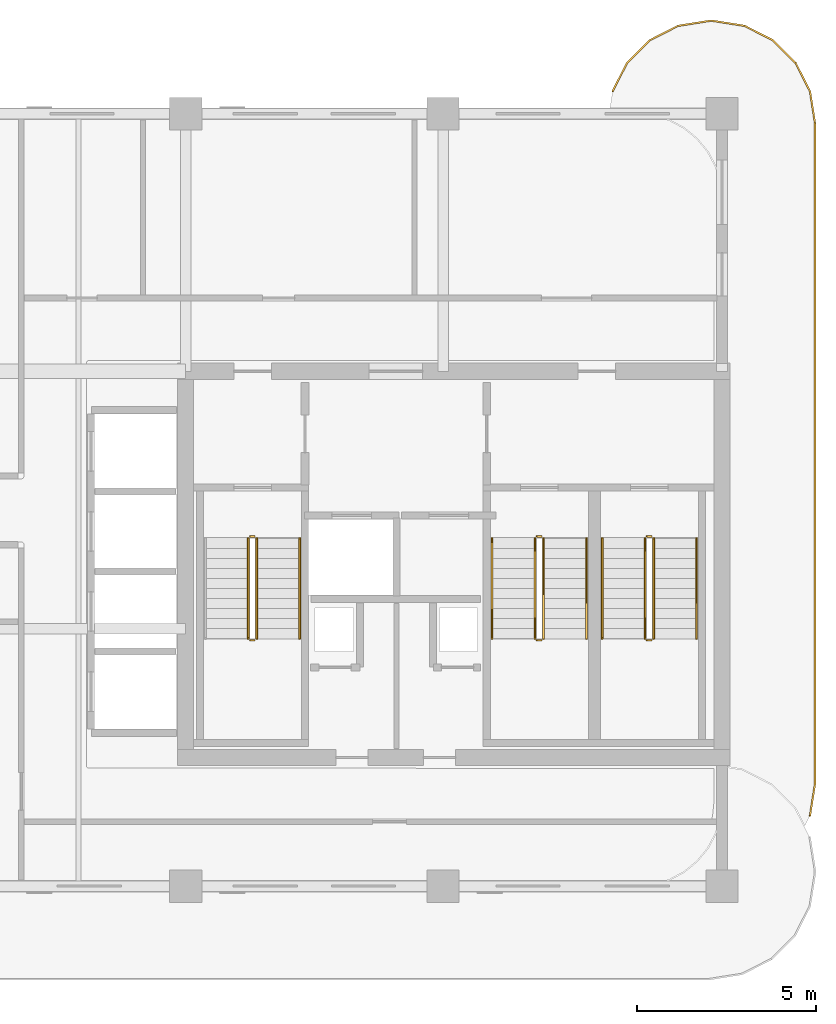
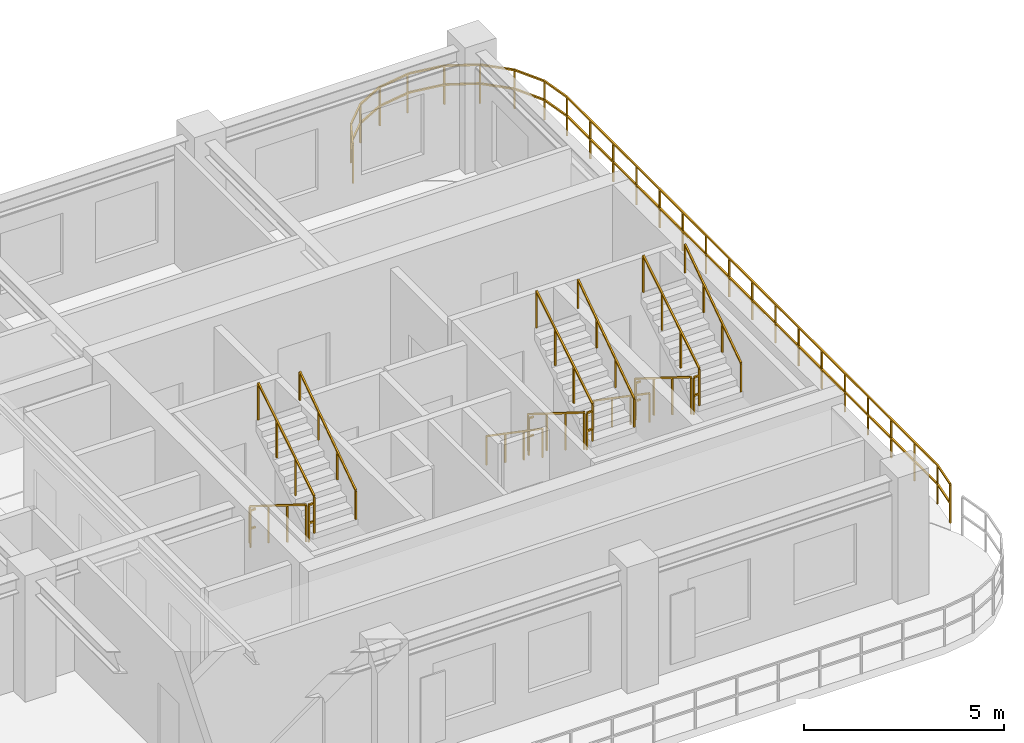
# One storey, part 8 of 8: 18 railings.
"""IFC4 building model written with IfcOpenShell, lengths in metres."""

from ifc_helpers import new_model, si_unit, derived_unit, direction, frame, origin, origin_2d, place, context, subcontext, project, spatial, rectangle, extrude, material, type_object, element, save


model = new_model("IFC4")

# Units and contexts
model_context = context("Model", 3, precision=1e-05, world=origin(), true_north=direction((0.0, 1.0)))
body_context = subcontext(model_context, "Body", "Model", "MODEL_VIEW")
ifc_project = project(units=[si_unit("LENGTHUNIT", "METRE"), si_unit("AREAUNIT", "SQUARE_METRE"), si_unit("VOLUMEUNIT", "CUBIC_METRE"), si_unit("PLANEANGLEUNIT", "RADIAN"), si_unit("MASSUNIT", "GRAM", prefix="KILO"), si_unit("THERMODYNAMICTEMPERATUREUNIT", "KELVIN"), si_unit("POWERUNIT", "WATT"), derived_unit("THERMALTRANSMITTANCEUNIT", [(si_unit("POWERUNIT", "WATT"), 1), (si_unit("AREAUNIT", "SQUARE_METRE"), -1), (si_unit("THERMODYNAMICTEMPERATUREUNIT", "KELVIN"), -1)])], contexts=[model_context])

# Site, building, storey
site_placement = place(None, origin())
site = spatial("IfcSite", under=ifc_project, at=site_placement, CompositionType="ELEMENT")
building_placement = place(site_placement, origin())
building = spatial("IfcBuilding", under=site, at=building_placement, Name="Zahravan Archway Hotel and Residences", CompositionType="ELEMENT")
storey_placement = place(building_placement, frame((0.0, 0.0, 248.10009765625)))
storey = spatial("IfcBuildingStorey", under=building, at=storey_placement, Name="L62", CompositionType="ELEMENT", Elevation=248.10009765625)

# Railings
ifc_material_1 = material(Name="Bronze & Laminated Glass Balustrade", Category="glass")
railing_type_1 = type_object("IfcRailingType", Name="RL-BAL-1200", PredefinedType="BALUSTRADE", material=ifc_material_1)
railing_1_placement = place(storey_placement, frame((46.739501953125, 22.230712890625, 0.0)))
element("IfcRailing", 1, at=railing_1_placement, inside=storey, type_object=railing_type_1, Name="L62 Balustrade RL-SLB-BAL-L62-EA-1", PredefinedType="BALUSTRADE", context=body_context, shape_type="SweptSolid", body=[
    extrude(rectangle(XDim=0.048095703125, YDim=0.048095703125, at=origin_2d()), frame((0.0, 0.0, 1.17578125), z_axis=(0.453991409995, 0.891006060389, 0.0), x_axis=(-0.891006060389, 0.453991409995, 0.0)), (0.0, 0.0, 1.0), 0.8916015625),
    extrude(rectangle(XDim=0.048095703125, YDim=0.048095703125, at=origin_2d()), frame((0.0, 0.0, 0.60009765625), z_axis=(0.453991409995, 0.891006060389, 0.0), x_axis=(-0.891006060389, 0.453991409995, 0.0)), (0.0, 0.0, 1.0), 0.8916015625),
    extrude(rectangle(XDim=0.048095703125, YDim=0.048095703125, at=origin_2d()), frame((0.40478515625, 0.79443359375, 1.17578125), z_axis=(0.707106781187, 0.707106781187, 0.0), x_axis=(-0.707106781187, 0.707106781187, 0.0)), (0.0, 0.0, 1.0), 0.891845703125),
    extrude(rectangle(XDim=0.048095703125, YDim=0.048095703125, at=origin_2d()), frame((0.40478515625, 0.79443359375, 0.60009765625), z_axis=(0.707106781187, 0.707106781187, 0.0), x_axis=(-0.707106781187, 0.707106781187, 0.0)), (0.0, 0.0, 1.0), 0.891845703125),
    extrude(rectangle(XDim=0.048095703125, YDim=0.048095703125, at=origin_2d()), frame((1.035400390625, 1.425048828125, 1.17578125), z_axis=(0.891006060389, 0.453991409995, 0.0), x_axis=(-0.453991409995, 0.891006060389, 0.0)), (0.0, 0.0, 1.0), 0.8916015625),
    extrude(rectangle(XDim=0.048095703125, YDim=0.048095703125, at=origin_2d()), frame((1.035400390625, 1.425048828125, 0.60009765625), z_axis=(0.891006060389, 0.453991409995, 0.0), x_axis=(-0.453991409995, 0.891006060389, 0.0)), (0.0, 0.0, 1.0), 0.8916015625),
    extrude(rectangle(XDim=0.048095703125, YDim=0.048095703125, at=origin_2d()), frame((1.829833984375, 1.829833984375, 1.17578125), z_axis=(0.987700720307, 0.156356282588, 0.0), x_axis=(-0.156356282588, 0.987700720307, 0.0)), (0.0, 0.0, 1.0), 0.8916015625),
    extrude(rectangle(XDim=0.048095703125, YDim=0.048095703125, at=origin_2d()), frame((1.829833984375, 1.829833984375, 0.60009765625), z_axis=(0.987700720307, 0.156356282588, 0.0), x_axis=(-0.156356282588, 0.987700720307, 0.0)), (0.0, 0.0, 1.0), 0.8916015625),
    extrude(rectangle(XDim=0.048095703125, YDim=0.048095703125, at=origin_2d()), frame((2.71044921875, 1.96923828125, 1.17578125), z_axis=(1.0, 0.0, 0.0), x_axis=(0.0, 1.0, 0.0)), (0.0, 0.0, 1.0), 0.10009765625),
    extrude(rectangle(XDim=0.048095703125, YDim=0.048095703125, at=origin_2d()), frame((2.71044921875, 1.96923828125, 0.60009765625), z_axis=(1.0, 0.0, 0.0), x_axis=(0.0, 1.0, 0.0)), (0.0, 0.0, 1.0), 0.10009765625),
    extrude(rectangle(XDim=0.048095703125, YDim=0.048095703125, at=origin_2d()), frame((2.810546875, 1.96923828125, 1.17578125), z_axis=(0.987700720307, -0.156356282588, 0.0), x_axis=(0.156356282588, 0.987700720307, 0.0)), (0.0, 0.0, 1.0), 0.8916015625),
    extrude(rectangle(XDim=0.048095703125, YDim=0.048095703125, at=origin_2d()), frame((2.810546875, 1.96923828125, 0.60009765625), z_axis=(0.987700720307, -0.156356282588, 0.0), x_axis=(0.156356282588, 0.987700720307, 0.0)), (0.0, 0.0, 1.0), 0.8916015625),
    extrude(rectangle(XDim=0.048095703125, YDim=0.048095703125, at=origin_2d()), frame((3.691162109375, 1.829833984375, 1.17578125), z_axis=(0.891006060389, -0.453991409995, 0.0), x_axis=(0.453991409995, 0.891006060389, 0.0)), (0.0, 0.0, 1.0), 0.8916015625),
    extrude(rectangle(XDim=0.048095703125, YDim=0.048095703125, at=origin_2d()), frame((3.691162109375, 1.829833984375, 0.60009765625), z_axis=(0.891006060389, -0.453991409995, 0.0), x_axis=(0.453991409995, 0.891006060389, 0.0)), (0.0, 0.0, 1.0), 0.8916015625),
    extrude(rectangle(XDim=0.048095703125, YDim=0.048095703125, at=origin_2d()), frame((4.485595703125, 1.425048828125, 1.17578125), z_axis=(0.707106781187, -0.707106781187, 0.0), x_axis=(0.707106781187, 0.707106781187, 0.0)), (0.0, 0.0, 1.0), 0.891845703125),
    extrude(rectangle(XDim=0.048095703125, YDim=0.048095703125, at=origin_2d()), frame((4.485595703125, 1.425048828125, 0.60009765625), z_axis=(0.707106781187, -0.707106781187, 0.0), x_axis=(0.707106781187, 0.707106781187, 0.0)), (0.0, 0.0, 1.0), 0.891845703125),
    extrude(rectangle(XDim=0.048095703125, YDim=0.048095703125, at=origin_2d()), frame((5.1162109375, 0.79443359375, 1.17578125), z_axis=(0.453991409995, -0.891006060389, 0.0), x_axis=(0.891006060389, 0.453991409995, 0.0)), (0.0, 0.0, 1.0), 0.8916015625),
    extrude(rectangle(XDim=0.048095703125, YDim=0.048095703125, at=origin_2d()), frame((5.1162109375, 0.79443359375, 0.60009765625), z_axis=(0.453991409995, -0.891006060389, 0.0), x_axis=(0.891006060389, 0.453991409995, 0.0)), (0.0, 0.0, 1.0), 0.8916015625),
    extrude(rectangle(XDim=0.048095703125, YDim=0.048095703125, at=origin_2d()), frame((5.52099609375, 0.0, 1.17578125), z_axis=(0.156356282588, -0.987700720307, 0.0), x_axis=(0.987700720307, 0.156356282588, 0.0)), (0.0, 0.0, 1.0), 0.8916015625),
    extrude(rectangle(XDim=0.048095703125, YDim=0.048095703125, at=origin_2d()), frame((5.52099609375, 0.0, 0.60009765625), z_axis=(0.156356282588, -0.987700720307, 0.0), x_axis=(0.987700720307, 0.156356282588, 0.0)), (0.0, 0.0, 1.0), 0.8916015625),
    extrude(rectangle(XDim=0.048095703125, YDim=0.048095703125, at=origin_2d()), frame((5.660400390625, -0.880615234375, 1.17578125), z_axis=(0.0, -1.0, 0.0), x_axis=(1.0, 0.0, 0.0)), (0.0, 0.0, 1.0), 18.5),
    extrude(rectangle(XDim=0.048095703125, YDim=0.048095703125, at=origin_2d()), frame((5.660400390625, -0.880615234375, 0.60009765625), z_axis=(0.0, -1.0, 0.0), x_axis=(1.0, 0.0, 0.0)), (0.0, 0.0, 1.0), 18.5),
    extrude(rectangle(XDim=0.048095703125, YDim=0.048095703125, at=origin_2d()), frame((5.660400390625, -19.380615234375, 1.17578125), z_axis=(-0.156314005608, -0.987707411965, 0.0), x_axis=(0.987707411965, -0.156314005608, 0.0)), (0.0, 0.0, 1.0), 0.891845703125),
    extrude(rectangle(XDim=0.048095703125, YDim=0.048095703125, at=origin_2d()), frame((5.660400390625, -19.380615234375, 0.60009765625), z_axis=(-0.156314005608, -0.987707411965, 0.0), x_axis=(0.987707411965, -0.156314005608, 0.0)), (0.0, 0.0, 1.0), 0.891845703125),
    extrude(rectangle(XDim=0.0419921875, YDim=0.0419921875, at=origin_2d()), origin(), (0.0, 0.0, 1.0), 1.15185546875),
    extrude(rectangle(XDim=0.0419921875, YDim=0.0419921875, at=origin_2d()), frame((0.40478515625, 0.79443359375, 0.0)), (0.0, 0.0, 1.0), 1.15185546875),
    extrude(rectangle(XDim=0.0419921875, YDim=0.0419921875, at=origin_2d()), frame((1.035400390625, 1.425048828125, 0.0)), (0.0, 0.0, 1.0), 1.15185546875),
    extrude(rectangle(XDim=0.0419921875, YDim=0.0419921875, at=origin_2d()), frame((1.829833984375, 1.829833984375, 0.0)), (0.0, 0.0, 1.0), 1.15185546875),
    extrude(rectangle(XDim=0.0419921875, YDim=0.0419921875, at=origin_2d()), frame((2.71044921875, 1.96923828125, 0.0)), (0.0, 0.0, 1.0), 1.15185546875),
    extrude(rectangle(XDim=0.0419921875, YDim=0.0419921875, at=origin_2d()), frame((3.691162109375, 1.829833984375, 0.0)), (0.0, 0.0, 1.0), 1.15185546875),
    extrude(rectangle(XDim=0.0419921875, YDim=0.0419921875, at=origin_2d()), frame((4.485595703125, 1.425048828125, 0.0)), (0.0, 0.0, 1.0), 1.15185546875),
    extrude(rectangle(XDim=0.0419921875, YDim=0.0419921875, at=origin_2d()), frame((5.1162109375, 0.79443359375, 0.0)), (0.0, 0.0, 1.0), 1.15185546875),
    extrude(rectangle(XDim=0.0419921875, YDim=0.0419921875, at=origin_2d()), frame((5.52099609375, 0.0, 0.0)), (0.0, 0.0, 1.0), 1.15185546875),
    extrude(rectangle(XDim=0.0419921875, YDim=0.0419921875, at=origin_2d()), frame((5.660400390625, -0.880615234375, 0.0)), (0.0, 0.0, 1.0), 1.15185546875),
    extrude(rectangle(XDim=0.0419921875, YDim=0.0419921875, at=origin_2d()), frame((5.660400390625, -2.036865234375, 0.0)), (0.0, 0.0, 1.0), 1.15185546875),
    extrude(rectangle(XDim=0.0419921875, YDim=0.0419921875, at=origin_2d()), frame((5.660400390625, -3.193115234375, 0.0)), (0.0, 0.0, 1.0), 1.15185546875),
    extrude(rectangle(XDim=0.0419921875, YDim=0.0419921875, at=origin_2d()), frame((5.660400390625, -4.349365234375, 0.0)), (0.0, 0.0, 1.0), 1.15185546875),
    extrude(rectangle(XDim=0.0419921875, YDim=0.0419921875, at=origin_2d()), frame((5.660400390625, -5.505615234375, 0.0)), (0.0, 0.0, 1.0), 1.15185546875),
    extrude(rectangle(XDim=0.0419921875, YDim=0.0419921875, at=origin_2d()), frame((5.660400390625, -6.661865234375, 0.0)), (0.0, 0.0, 1.0), 1.15185546875),
    extrude(rectangle(XDim=0.0419921875, YDim=0.0419921875, at=origin_2d()), frame((5.660400390625, -7.818115234375, 0.0)), (0.0, 0.0, 1.0), 1.15185546875),
    extrude(rectangle(XDim=0.0419921875, YDim=0.0419921875, at=origin_2d()), frame((5.660400390625, -8.974365234375, 0.0)), (0.0, 0.0, 1.0), 1.15185546875),
    extrude(rectangle(XDim=0.0419921875, YDim=0.0419921875, at=origin_2d()), frame((5.660400390625, -10.130615234375, 0.0)), (0.0, 0.0, 1.0), 1.15185546875),
    extrude(rectangle(XDim=0.0419921875, YDim=0.0419921875, at=origin_2d()), frame((5.660400390625, -11.286865234375, 0.0)), (0.0, 0.0, 1.0), 1.15185546875),
    extrude(rectangle(XDim=0.0419921875, YDim=0.0419921875, at=origin_2d()), frame((5.660400390625, -12.443115234375, 0.0)), (0.0, 0.0, 1.0), 1.15185546875),
    extrude(rectangle(XDim=0.0419921875, YDim=0.0419921875, at=origin_2d()), frame((5.660400390625, -13.599365234375, 0.0)), (0.0, 0.0, 1.0), 1.15185546875),
    extrude(rectangle(XDim=0.0419921875, YDim=0.0419921875, at=origin_2d()), frame((5.660400390625, -14.755615234375, 0.0)), (0.0, 0.0, 1.0), 1.15185546875),
    extrude(rectangle(XDim=0.0419921875, YDim=0.0419921875, at=origin_2d()), frame((5.660400390625, -15.911865234375, 0.0)), (0.0, 0.0, 1.0), 1.15185546875),
    extrude(rectangle(XDim=0.0419921875, YDim=0.0419921875, at=origin_2d()), frame((5.660400390625, -17.068115234375, 0.0)), (0.0, 0.0, 1.0), 1.15185546875),
    extrude(rectangle(XDim=0.0419921875, YDim=0.0419921875, at=origin_2d()), frame((5.660400390625, -18.224365234375, 0.0)), (0.0, 0.0, 1.0), 1.15185546875),
    extrude(rectangle(XDim=0.0419921875, YDim=0.0419921875, at=origin_2d()), frame((5.660400390625, -19.380615234375, 0.0)), (0.0, 0.0, 1.0), 1.15185546875),
    extrude(rectangle(XDim=0.0419921875, YDim=0.0419921875, at=origin_2d()), frame((5.52099609375, -20.261474609375, 0.0)), (0.0, 0.0, 1.0), 1.15185546875),
])
ifc_material_2 = material(Name="Painted Tubular Steel", Category="steel")
railing_type_2 = type_object("IfcRailingType", Name="RL-STG-1150", PredefinedType="GUARDRAIL", material=ifc_material_2)
railing_2_placement = place(storey_placement, frame((36.550048828125, 9.72998046875, 0.1748046875)))
element("IfcRailing", 2, at=railing_2_placement, inside=storey, type_object=railing_type_2, Name="L62 ST-A1 stair guard 1", PredefinedType="GUARDRAIL", context=body_context, shape_type="SweptSolid", body=[
    extrude(rectangle(XDim=0.048095703125, YDim=0.048095703125, at=origin_2d()), frame((0.0, 0.0, 1.1259765625), z_axis=(0.0, -0.848002457836, 0.529992293815), x_axis=(1.0, 0.0, 0.0)), (0.0, 0.0, 1.0), 3.302001953125),
    extrude(rectangle(XDim=0.0419921875, YDim=0.0419921875, at=origin_2d()), origin(), (0.0, 0.0, 1.0), 1.101806640625),
    extrude(rectangle(XDim=0.0419921875, YDim=0.0419921875, at=origin_2d()), frame((0.0, -0.933349609375, 0.583251953125)), (0.0, 0.0, 1.0), 1.101806640625),
    extrude(rectangle(XDim=0.0419921875, YDim=0.0419921875, at=origin_2d()), frame((0.0, -1.86669921875, 1.166748046875)), (0.0, 0.0, 1.0), 1.101806640625),
    extrude(rectangle(XDim=0.0419921875, YDim=0.0419921875, at=origin_2d()), frame((0.0, -2.800048828125, 1.75)), (0.0, 0.0, 1.0), 1.101806640625),
])
railing_3_placement = place(storey_placement, frame((36.60009765625, 6.8798828125, 1.9248046875)))
element("IfcRailing", 3, at=railing_3_placement, inside=storey, type_object=railing_type_2, Name="L62 ST-A1 stair guard 2", PredefinedType="GUARDRAIL", context=body_context, shape_type="SweptSolid", body=[
    extrude(rectangle(XDim=0.048095703125, YDim=0.048095703125, at=origin_2d()), frame((0.0, 0.0, 1.1259765625), z_axis=(1.0, 0.0, 0.0), x_axis=(0.0, 1.0, 0.0)), (0.0, 0.0, 1.0), 0.139892578125),
    extrude(rectangle(XDim=0.048095703125, YDim=0.048095703125, at=origin_2d()), frame((0.0, 0.0, 0.574951171875), z_axis=(1.0, 0.0, 0.0), x_axis=(0.0, 1.0, 0.0)), (0.0, 0.0, 1.0), 0.139892578125),
    extrude(rectangle(XDim=0.0419921875, YDim=0.0419921875, at=origin_2d()), origin(), (0.0, 0.0, 1.0), 1.101806640625),
])
railing_4_placement = place(storey_placement, frame((36.7900390625, 6.929931640625, 2.099853515625)))
element("IfcRailing", 4, at=railing_4_placement, inside=storey, type_object=railing_type_2, Name="L62 ST-A1 stair guard 3", PredefinedType="GUARDRAIL", context=body_context, shape_type="SweptSolid", body=[
    extrude(rectangle(XDim=0.048095703125, YDim=0.048095703125, at=origin_2d()), frame((0.0, 0.0, 1.1259765625), z_axis=(0.0, 0.848002457836, 0.529992293815), x_axis=(-1.0, 0.0, 0.0)), (0.0, 0.0, 1.0), 3.302001953125),
    extrude(rectangle(XDim=0.0419921875, YDim=0.0419921875, at=origin_2d()), origin(), (0.0, 0.0, 1.0), 1.101806640625),
    extrude(rectangle(XDim=0.0419921875, YDim=0.0419921875, at=origin_2d()), frame((0.0, 0.933349609375, 0.583251953125)), (0.0, 0.0, 1.0), 1.101806640625),
    extrude(rectangle(XDim=0.0419921875, YDim=0.0419921875, at=origin_2d()), frame((0.0, 1.86669921875, 1.166748046875)), (0.0, 0.0, 1.0), 1.101806640625),
    extrude(rectangle(XDim=0.0419921875, YDim=0.0419921875, at=origin_2d()), frame((0.0, 2.800048828125, 1.75)), (0.0, 0.0, 1.0), 1.101806640625),
])
railing_5_placement = place(storey_placement, frame((36.60009765625, 9.780029296875, 0.0)))
element("IfcRailing", 5, at=railing_5_placement, inside=storey, type_object=railing_type_2, Name="L62 ST-A1 stair guard 4", PredefinedType="GUARDRAIL", context=body_context, shape_type="SweptSolid", body=[
    extrude(rectangle(XDim=0.048095703125, YDim=0.048095703125, at=origin_2d()), frame((0.0, 0.0, 1.1259765625), z_axis=(1.0, 0.0, 0.0), x_axis=(0.0, 1.0, 0.0)), (0.0, 0.0, 1.0), 0.139892578125),
    extrude(rectangle(XDim=0.048095703125, YDim=0.048095703125, at=origin_2d()), frame((0.0, 0.0, 0.574951171875), z_axis=(1.0, 0.0, 0.0), x_axis=(0.0, 1.0, 0.0)), (0.0, 0.0, 1.0), 0.139892578125),
    extrude(rectangle(XDim=0.0419921875, YDim=0.0419921875, at=origin_2d()), origin(), (0.0, 0.0, 1.0), 1.101806640625),
])
railing_6_placement = place(storey_placement, frame((44.570068359375, 9.72998046875, 0.1748046875)))
element("IfcRailing", 6, at=railing_6_placement, inside=storey, type_object=railing_type_2, Name="L62 ST-A2 stair guard 1", PredefinedType="GUARDRAIL", context=body_context, shape_type="SweptSolid", body=[
    extrude(rectangle(XDim=0.048095703125, YDim=0.048095703125, at=origin_2d()), frame((0.0, 0.0, 1.1259765625), z_axis=(0.0, -0.848002457836, 0.529992293815), x_axis=(1.0, 0.0, 0.0)), (0.0, 0.0, 1.0), 3.302001953125),
    extrude(rectangle(XDim=0.0419921875, YDim=0.0419921875, at=origin_2d()), origin(), (0.0, 0.0, 1.0), 1.101806640625),
    extrude(rectangle(XDim=0.0419921875, YDim=0.0419921875, at=origin_2d()), frame((0.0, -0.933349609375, 0.583251953125)), (0.0, 0.0, 1.0), 1.101806640625),
    extrude(rectangle(XDim=0.0419921875, YDim=0.0419921875, at=origin_2d()), frame((0.0, -1.86669921875, 1.166748046875)), (0.0, 0.0, 1.0), 1.101806640625),
    extrude(rectangle(XDim=0.0419921875, YDim=0.0419921875, at=origin_2d()), frame((0.0, -2.800048828125, 1.75)), (0.0, 0.0, 1.0), 1.101806640625),
])
railing_7_placement = place(storey_placement, frame((44.6201171875, 6.8798828125, 1.9248046875)))
element("IfcRailing", 7, at=railing_7_placement, inside=storey, type_object=railing_type_2, Name="L62 ST-A2 stair guard 2", PredefinedType="GUARDRAIL", context=body_context, shape_type="SweptSolid", body=[
    extrude(rectangle(XDim=0.048095703125, YDim=0.048095703125, at=origin_2d()), frame((0.0, 0.0, 1.1259765625), z_axis=(1.0, 0.0, 0.0), x_axis=(0.0, 1.0, 0.0)), (0.0, 0.0, 1.0), 0.139892578125),
    extrude(rectangle(XDim=0.048095703125, YDim=0.048095703125, at=origin_2d()), frame((0.0, 0.0, 0.574951171875), z_axis=(1.0, 0.0, 0.0), x_axis=(0.0, 1.0, 0.0)), (0.0, 0.0, 1.0), 0.139892578125),
    extrude(rectangle(XDim=0.0419921875, YDim=0.0419921875, at=origin_2d()), origin(), (0.0, 0.0, 1.0), 1.101806640625),
])
railing_8_placement = place(storey_placement, frame((44.81005859375, 6.929931640625, 2.099853515625)))
element("IfcRailing", 8, at=railing_8_placement, inside=storey, type_object=railing_type_2, Name="L62 ST-A2 stair guard 3", PredefinedType="GUARDRAIL", context=body_context, shape_type="SweptSolid", body=[
    extrude(rectangle(XDim=0.048095703125, YDim=0.048095703125, at=origin_2d()), frame((0.0, 0.0, 1.1259765625), z_axis=(0.0, 0.848002457836, 0.529992293815), x_axis=(-1.0, 0.0, 0.0)), (0.0, 0.0, 1.0), 3.302001953125),
    extrude(rectangle(XDim=0.0419921875, YDim=0.0419921875, at=origin_2d()), origin(), (0.0, 0.0, 1.0), 1.101806640625),
    extrude(rectangle(XDim=0.0419921875, YDim=0.0419921875, at=origin_2d()), frame((0.0, 0.933349609375, 0.583251953125)), (0.0, 0.0, 1.0), 1.101806640625),
    extrude(rectangle(XDim=0.0419921875, YDim=0.0419921875, at=origin_2d()), frame((0.0, 1.86669921875, 1.166748046875)), (0.0, 0.0, 1.0), 1.101806640625),
    extrude(rectangle(XDim=0.0419921875, YDim=0.0419921875, at=origin_2d()), frame((0.0, 2.800048828125, 1.75)), (0.0, 0.0, 1.0), 1.101806640625),
])
railing_9_placement = place(storey_placement, frame((44.6201171875, 9.780029296875, 0.0)))
element("IfcRailing", 9, at=railing_9_placement, inside=storey, type_object=railing_type_2, Name="L62 ST-A2 stair guard 4", PredefinedType="GUARDRAIL", context=body_context, shape_type="SweptSolid", body=[
    extrude(rectangle(XDim=0.048095703125, YDim=0.048095703125, at=origin_2d()), frame((0.0, 0.0, 1.1259765625), z_axis=(1.0, 0.0, 0.0), x_axis=(0.0, 1.0, 0.0)), (0.0, 0.0, 1.0), 0.139892578125),
    extrude(rectangle(XDim=0.048095703125, YDim=0.048095703125, at=origin_2d()), frame((0.0, 0.0, 0.574951171875), z_axis=(1.0, 0.0, 0.0), x_axis=(0.0, 1.0, 0.0)), (0.0, 0.0, 1.0), 0.139892578125),
    extrude(rectangle(XDim=0.0419921875, YDim=0.0419921875, at=origin_2d()), origin(), (0.0, 0.0, 1.0), 1.101806640625),
])
railing_10_placement = place(storey_placement, frame((47.64990234375, 9.72998046875, 0.1748046875)))
element("IfcRailing", 10, at=railing_10_placement, inside=storey, type_object=railing_type_2, Name="L62 ST-A3 stair guard 1", PredefinedType="GUARDRAIL", context=body_context, shape_type="SweptSolid", body=[
    extrude(rectangle(XDim=0.048095703125, YDim=0.048095703125, at=origin_2d()), frame((0.0, 0.0, 1.1259765625), z_axis=(0.0, -0.848002457836, 0.529992293815), x_axis=(1.0, 0.0, 0.0)), (0.0, 0.0, 1.0), 3.302001953125),
    extrude(rectangle(XDim=0.0419921875, YDim=0.0419921875, at=origin_2d()), origin(), (0.0, 0.0, 1.0), 1.101806640625),
    extrude(rectangle(XDim=0.0419921875, YDim=0.0419921875, at=origin_2d()), frame((0.0, -0.933349609375, 0.583251953125)), (0.0, 0.0, 1.0), 1.101806640625),
    extrude(rectangle(XDim=0.0419921875, YDim=0.0419921875, at=origin_2d()), frame((0.0, -1.86669921875, 1.166748046875)), (0.0, 0.0, 1.0), 1.101806640625),
    extrude(rectangle(XDim=0.0419921875, YDim=0.0419921875, at=origin_2d()), frame((0.0, -2.800048828125, 1.75)), (0.0, 0.0, 1.0), 1.101806640625),
])
railing_11_placement = place(storey_placement, frame((47.699951171875, 6.8798828125, 1.9248046875)))
element("IfcRailing", 11, at=railing_11_placement, inside=storey, type_object=railing_type_2, Name="L62 ST-A3 stair guard 2", PredefinedType="GUARDRAIL", context=body_context, shape_type="SweptSolid", body=[
    extrude(rectangle(XDim=0.048095703125, YDim=0.048095703125, at=origin_2d()), frame((0.0, 0.0, 1.1259765625), z_axis=(1.0, 0.0, 0.0), x_axis=(0.0, 1.0, 0.0)), (0.0, 0.0, 1.0), 0.14013671875),
    extrude(rectangle(XDim=0.048095703125, YDim=0.048095703125, at=origin_2d()), frame((0.0, 0.0, 0.574951171875), z_axis=(1.0, 0.0, 0.0), x_axis=(0.0, 1.0, 0.0)), (0.0, 0.0, 1.0), 0.14013671875),
    extrude(rectangle(XDim=0.0419921875, YDim=0.0419921875, at=origin_2d()), origin(), (0.0, 0.0, 1.0), 1.101806640625),
])
railing_12_placement = place(storey_placement, frame((47.889892578125, 6.929931640625, 2.099853515625)))
element("IfcRailing", 12, at=railing_12_placement, inside=storey, type_object=railing_type_2, Name="L62 ST-A3 stair guard 3", PredefinedType="GUARDRAIL", context=body_context, shape_type="SweptSolid", body=[
    extrude(rectangle(XDim=0.048095703125, YDim=0.048095703125, at=origin_2d()), frame((0.0, 0.0, 1.1259765625), z_axis=(0.0, 0.848002457836, 0.529992293815), x_axis=(-1.0, 0.0, 0.0)), (0.0, 0.0, 1.0), 3.302001953125),
    extrude(rectangle(XDim=0.0419921875, YDim=0.0419921875, at=origin_2d()), origin(), (0.0, 0.0, 1.0), 1.101806640625),
    extrude(rectangle(XDim=0.0419921875, YDim=0.0419921875, at=origin_2d()), frame((0.0, 0.933349609375, 0.583251953125)), (0.0, 0.0, 1.0), 1.101806640625),
    extrude(rectangle(XDim=0.0419921875, YDim=0.0419921875, at=origin_2d()), frame((0.0, 1.86669921875, 1.166748046875)), (0.0, 0.0, 1.0), 1.101806640625),
    extrude(rectangle(XDim=0.0419921875, YDim=0.0419921875, at=origin_2d()), frame((0.0, 2.800048828125, 1.75)), (0.0, 0.0, 1.0), 1.101806640625),
])
railing_13_placement = place(storey_placement, frame((47.699951171875, 9.780029296875, 0.0)))
element("IfcRailing", 13, at=railing_13_placement, inside=storey, type_object=railing_type_2, Name="L62 ST-A3 stair guard 4", PredefinedType="GUARDRAIL", context=body_context, shape_type="SweptSolid", body=[
    extrude(rectangle(XDim=0.048095703125, YDim=0.048095703125, at=origin_2d()), frame((0.0, 0.0, 1.1259765625), z_axis=(1.0, 0.0, 0.0), x_axis=(0.0, 1.0, 0.0)), (0.0, 0.0, 1.0), 0.14013671875),
    extrude(rectangle(XDim=0.048095703125, YDim=0.048095703125, at=origin_2d()), frame((0.0, 0.0, 0.574951171875), z_axis=(1.0, 0.0, 0.0), x_axis=(0.0, 1.0, 0.0)), (0.0, 0.0, 1.0), 0.14013671875),
    extrude(rectangle(XDim=0.0419921875, YDim=0.0419921875, at=origin_2d()), origin(), (0.0, 0.0, 1.0), 1.101806640625),
])
ifc_material_3 = material(Name="Brushed Stainless Steel", Category="steel")
railing_type_3 = type_object("IfcRailingType", Name="RL-STH-900", PredefinedType="HANDRAIL", material=ifc_material_3)
railing_14_placement = place(storey_placement, frame((37.989990234375, 6.929931640625, 2.099853515625)))
element("IfcRailing", 14, at=railing_14_placement, inside=storey, type_object=railing_type_3, Name="L62 ST-A1 stair handrail 2", PredefinedType="HANDRAIL", context=body_context, shape_type="SweptSolid", body=[
    extrude(rectangle(XDim=0.048095703125, YDim=0.048095703125, at=origin_2d()), frame((0.0, 0.0, 0.8759765625), z_axis=(0.0, 0.824039827795, 0.566531872191), x_axis=(-1.0, 0.0, 0.0)), (0.0, 0.0, 1.0), 3.39794921875),
    extrude(rectangle(XDim=0.0419921875, YDim=0.0419921875, at=origin_2d()), origin(), (0.0, 0.0, 1.0), 0.851806640625),
    extrude(rectangle(XDim=0.0419921875, YDim=0.0419921875, at=origin_2d()), frame((0.0, 0.933349609375, 0.6416015625)), (0.0, 0.0, 1.0), 0.851806640625),
    extrude(rectangle(XDim=0.0419921875, YDim=0.0419921875, at=origin_2d()), frame((0.0, 1.86669921875, 1.283447265625)), (0.0, 0.0, 1.0), 0.851806640625),
    extrude(rectangle(XDim=0.0419921875, YDim=0.0419921875, at=origin_2d()), frame((0.0, 2.800048828125, 1.925048828125)), (0.0, 0.0, 1.0), 0.851806640625),
])
railing_15_placement = place(storey_placement, frame((43.3701171875, 9.72998046875, 0.1748046875)))
element("IfcRailing", 15, at=railing_15_placement, inside=storey, type_object=railing_type_3, Name="L62 ST-A2 stair handrail 1", PredefinedType="HANDRAIL", context=body_context, shape_type="SweptSolid", body=[
    extrude(rectangle(XDim=0.048095703125, YDim=0.048095703125, at=origin_2d()), frame((0.0, 0.0, 0.8759765625), z_axis=(0.0, -0.824039827795, 0.566531872191), x_axis=(1.0, 0.0, 0.0)), (0.0, 0.0, 1.0), 3.39794921875),
    extrude(rectangle(XDim=0.0419921875, YDim=0.0419921875, at=origin_2d()), origin(), (0.0, 0.0, 1.0), 0.851806640625),
    extrude(rectangle(XDim=0.0419921875, YDim=0.0419921875, at=origin_2d()), frame((0.0, -0.933349609375, 0.6416015625)), (0.0, 0.0, 1.0), 0.851806640625),
    extrude(rectangle(XDim=0.0419921875, YDim=0.0419921875, at=origin_2d()), frame((0.0, -1.86669921875, 1.283447265625)), (0.0, 0.0, 1.0), 0.851806640625),
    extrude(rectangle(XDim=0.0419921875, YDim=0.0419921875, at=origin_2d()), frame((0.0, -2.800048828125, 1.925048828125)), (0.0, 0.0, 1.0), 0.851806640625),
])
railing_16_placement = place(storey_placement, frame((46.010009765625, 6.929931640625, 2.099853515625)))
element("IfcRailing", 16, at=railing_16_placement, inside=storey, type_object=railing_type_3, Name="L62 ST-A2 stair handrail 2", PredefinedType="HANDRAIL", context=body_context, shape_type="SweptSolid", body=[
    extrude(rectangle(XDim=0.048095703125, YDim=0.048095703125, at=origin_2d()), frame((0.0, 0.0, 0.8759765625), z_axis=(0.0, 0.824039827795, 0.566531872191), x_axis=(-1.0, 0.0, 0.0)), (0.0, 0.0, 1.0), 3.39794921875),
    extrude(rectangle(XDim=0.0419921875, YDim=0.0419921875, at=origin_2d()), origin(), (0.0, 0.0, 1.0), 0.851806640625),
    extrude(rectangle(XDim=0.0419921875, YDim=0.0419921875, at=origin_2d()), frame((0.0, 0.933349609375, 0.6416015625)), (0.0, 0.0, 1.0), 0.851806640625),
    extrude(rectangle(XDim=0.0419921875, YDim=0.0419921875, at=origin_2d()), frame((0.0, 1.86669921875, 1.283447265625)), (0.0, 0.0, 1.0), 0.851806640625),
    extrude(rectangle(XDim=0.0419921875, YDim=0.0419921875, at=origin_2d()), frame((0.0, 2.800048828125, 1.925048828125)), (0.0, 0.0, 1.0), 0.851806640625),
])
railing_17_placement = place(storey_placement, frame((46.449951171875, 9.72998046875, 0.1748046875)))
element("IfcRailing", 17, at=railing_17_placement, inside=storey, type_object=railing_type_3, Name="L62 ST-A3 stair handrail 1", PredefinedType="HANDRAIL", context=body_context, shape_type="SweptSolid", body=[
    extrude(rectangle(XDim=0.048095703125, YDim=0.048095703125, at=origin_2d()), frame((0.0, 0.0, 0.8759765625), z_axis=(0.0, -0.824039827795, 0.566531872191), x_axis=(1.0, 0.0, 0.0)), (0.0, 0.0, 1.0), 3.39794921875),
    extrude(rectangle(XDim=0.0419921875, YDim=0.0419921875, at=origin_2d()), origin(), (0.0, 0.0, 1.0), 0.851806640625),
    extrude(rectangle(XDim=0.0419921875, YDim=0.0419921875, at=origin_2d()), frame((0.0, -0.933349609375, 0.6416015625)), (0.0, 0.0, 1.0), 0.851806640625),
    extrude(rectangle(XDim=0.0419921875, YDim=0.0419921875, at=origin_2d()), frame((0.0, -1.86669921875, 1.283447265625)), (0.0, 0.0, 1.0), 0.851806640625),
    extrude(rectangle(XDim=0.0419921875, YDim=0.0419921875, at=origin_2d()), frame((0.0, -2.800048828125, 1.925048828125)), (0.0, 0.0, 1.0), 0.851806640625),
])
railing_18_placement = place(storey_placement, frame((49.090087890625, 6.929931640625, 2.099853515625)))
element("IfcRailing", 18, at=railing_18_placement, inside=storey, type_object=railing_type_3, Name="L62 ST-A3 stair handrail 2", PredefinedType="HANDRAIL", context=body_context, shape_type="SweptSolid", body=[
    extrude(rectangle(XDim=0.048095703125, YDim=0.048095703125, at=origin_2d()), frame((0.0, 0.0, 0.8759765625), z_axis=(0.0, 0.824039827795, 0.566531872191), x_axis=(-1.0, 0.0, 0.0)), (0.0, 0.0, 1.0), 3.39794921875),
    extrude(rectangle(XDim=0.0419921875, YDim=0.0419921875, at=origin_2d()), origin(), (0.0, 0.0, 1.0), 0.851806640625),
    extrude(rectangle(XDim=0.0419921875, YDim=0.0419921875, at=origin_2d()), frame((0.0, 0.933349609375, 0.6416015625)), (0.0, 0.0, 1.0), 0.851806640625),
    extrude(rectangle(XDim=0.0419921875, YDim=0.0419921875, at=origin_2d()), frame((0.0, 1.86669921875, 1.283447265625)), (0.0, 0.0, 1.0), 0.851806640625),
    extrude(rectangle(XDim=0.0419921875, YDim=0.0419921875, at=origin_2d()), frame((0.0, 2.800048828125, 1.925048828125)), (0.0, 0.0, 1.0), 0.851806640625),
])

save(model, "model.ifc")
